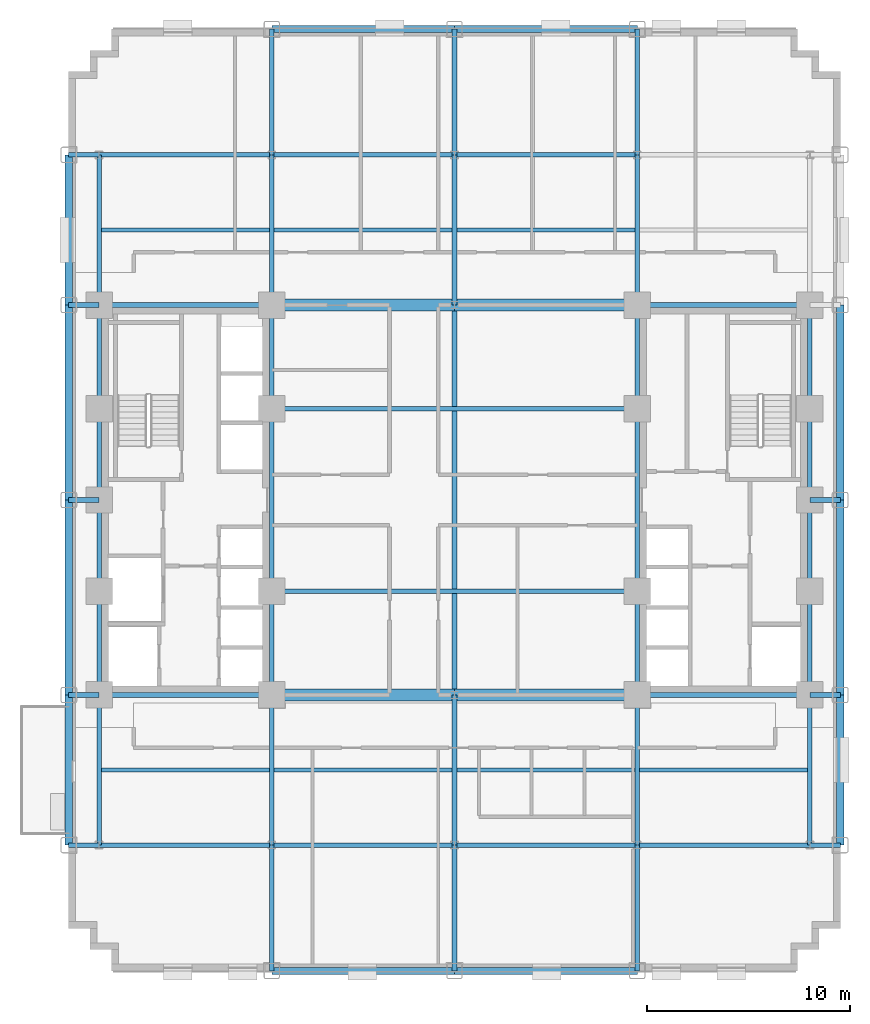
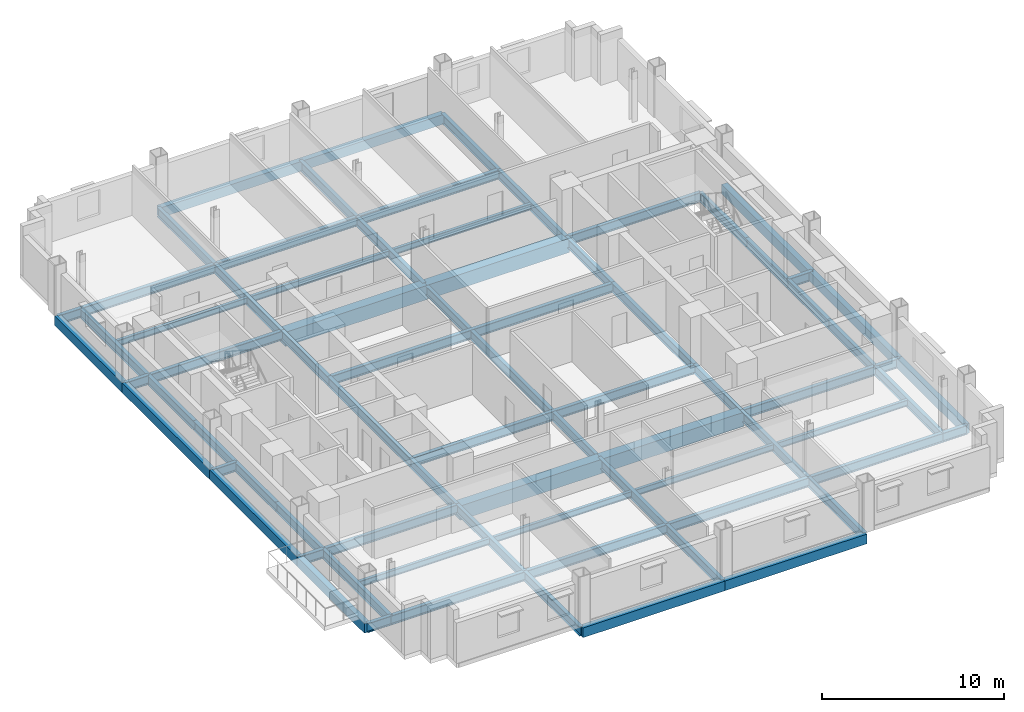
# One storey, part 3 of 12: 73 beams.
"""IFC4 building model written with IfcOpenShell, lengths in metres."""

from ifc_helpers import new_model, si_unit, direction, frame, origin, origin_2d, place, context, subcontext, project, spatial, rectangle, i_section, extrude, material, material_profile, profile_set, type_object, element, save


model = new_model("IFC4")

# Units and contexts
model_context = context("Model", 3, precision=1e-05, world=origin(), true_north=direction((0.0, 1.0)))
body_context = subcontext(model_context, "Body", "Model", "MODEL_VIEW")
ifc_project = project(units=[si_unit("LENGTHUNIT", "METRE"), si_unit("AREAUNIT", "SQUARE_METRE"), si_unit("VOLUMEUNIT", "CUBIC_METRE"), si_unit("PLANEANGLEUNIT", "RADIAN"), si_unit("MASSUNIT", "GRAM", prefix="KILO")], contexts=[model_context])

# Site, building, storey
site_placement = place(None, origin())
site = spatial("IfcSite", under=ifc_project, at=site_placement, CompositionType="ELEMENT")
building_placement = place(site_placement, origin())
building = spatial("IfcBuilding", under=site, at=building_placement, Name="Nuvemarco Arch Tower", CompositionType="ELEMENT")
storey_placement = place(building_placement, frame((0.0, 0.0, 34.89990234375)))
storey = spatial("IfcBuildingStorey", under=building, at=storey_placement, Name="L08", CompositionType="ELEMENT", Elevation=34.89990234375)

# Beams
ifc_material_1 = material(Name="Concrete C60/75", Category="concrete")
ifc_material_profile_1 = material_profile(ifc_material_1, rectangle(XDim=0.60009765625, YDim=0.949951171875, at=origin_2d()), Name="RC-BM-600x950")
ifc_profile_set_1 = profile_set([ifc_material_profile_1], Name="Concrete C60/75")
beam_type_1 = type_object("IfcBeamType", Name="BM-COUP-RC", PredefinedType="LINTEL", material=ifc_profile_set_1)
for number, where, z_axis, x_axis, name in (
    (1, (-9.0, -9.60009765625, -0.7548828125), (1.0, 0.0, 0.0), (0.0, 1.0, 0.0), "L08 structural beam BGEW_L08_0_-9.6_-9.0"),
    (2, (0.0, -9.60009765625, -0.7548828125), (1.0, 0.0, 0.0), (0.0, 1.0, 0.0), "L08 structural beam BGEW_L08_0_-9.6_+0.0"),
    (3, (-9.0, 9.60009765625, -0.7548828125), (1.0, 0.0, 0.0), (0.0, 1.0, 0.0), "L08 structural beam BGEW_L08_0_+9.6_-9.0"),
    (4, (0.0, 9.60009765625, -0.7548828125), (1.0, 0.0, 0.0), (0.0, 1.0, 0.0), "L08 structural beam BGEW_L08_0_+9.6_+0.0"),
):
    element("IfcBeam", number, at=place(storey_placement, frame(where, z_axis=z_axis, x_axis=x_axis)), inside=storey, type_object=beam_type_1, Name=name, PredefinedType="LINTEL", context=body_context, shape_type="SweptSolid", body=[
        extrude(rectangle(XDim=0.60009765625, YDim=0.949951171875, at=origin_2d()), origin(), (0.0, 0.0, 1.0), 9.0),
    ])
ifc_material_2 = material(Name="Steel S355", Category="steel")
ifc_material_profile_2 = material_profile(ifc_material_2, i_section(OverallWidth=0.22998046875, OverallDepth=0.616943359375, WebThickness=0.01318359375, FlangeThickness=0.022216796875, FilletRadius=0.01611328125, at=origin_2d()), Name="W610x140")
ifc_profile_set_2 = profile_set([ifc_material_profile_2], Name="Steel S355")
beam_type_2 = type_object("IfcBeamType", Name="BM-GIRD-610", PredefinedType="BEAM", material=ifc_profile_set_2)
beam_1_placement = place(storey_placement, frame((-17.5, -17.0, -0.58837890625), z_axis=(0.0, 1.0, 0.0), x_axis=(-1.0, 0.0, 0.0)))
element("IfcBeam", 5, at=beam_1_placement, inside=storey, type_object=beam_type_2, Name="L08 structural beam BGNS_L08_0_-17.5_-17.0", PredefinedType="BEAM", context=body_context, shape_type="SweptSolid", body=[
    extrude(i_section(OverallWidth=0.22998046875, OverallDepth=0.616943359375, WebThickness=0.01318359375, FlangeThickness=0.022216796875, FilletRadius=0.01611328125, at=origin_2d()), origin(), (0.0, 0.0, 1.0), 7.39990234375),
])
beam_2_placement = place(storey_placement, frame((-17.5, -9.60009765625, -0.58837890625), z_axis=(0.0, 1.0, 0.0), x_axis=(-1.0, 0.0, 0.0)))
element("IfcBeam", 6, at=beam_2_placement, inside=storey, type_object=beam_type_2, Name="L08 structural beam BGNS_L08_0_-17.5_-9.6", PredefinedType="BEAM", context=body_context, shape_type="SweptSolid", body=[
    extrude(i_section(OverallWidth=0.22998046875, OverallDepth=0.616943359375, WebThickness=0.01318359375, FlangeThickness=0.022216796875, FilletRadius=0.01611328125, at=origin_2d()), origin(), (0.0, 0.0, 1.0), 5.10009765625),
])
for number, where, z_axis, x_axis, name in (
    (7, (-17.5, -4.5, -0.58837890625), (0.0, 1.0, 0.0), (-1.0, 0.0, 0.0), "L08 structural beam BGNS_L08_0_-17.5_-4.5"),
    (8, (-17.5, 0.0, -0.58837890625), (0.0, 1.0, 0.0), (-1.0, 0.0, 0.0), "L08 structural beam BGNS_L08_0_-17.5_+0.0"),
):
    element("IfcBeam", number, at=place(storey_placement, frame(where, z_axis=z_axis, x_axis=x_axis)), inside=storey, type_object=beam_type_2, Name=name, PredefinedType="BEAM", context=body_context, shape_type="SweptSolid", body=[
        extrude(i_section(OverallWidth=0.22998046875, OverallDepth=0.616943359375, WebThickness=0.01318359375, FlangeThickness=0.022216796875, FilletRadius=0.01611328125, at=origin_2d()), origin(), (0.0, 0.0, 1.0), 4.5),
    ])
beam_3_placement = place(storey_placement, frame((-17.5, 4.5, -0.58837890625), z_axis=(0.0, 1.0, 0.0), x_axis=(-1.0, 0.0, 0.0)))
element("IfcBeam", 9, at=beam_3_placement, inside=storey, type_object=beam_type_2, Name="L08 structural beam BGNS_L08_0_-17.5_+4.5", PredefinedType="BEAM", context=body_context, shape_type="SweptSolid", body=[
    extrude(i_section(OverallWidth=0.22998046875, OverallDepth=0.616943359375, WebThickness=0.01318359375, FlangeThickness=0.022216796875, FilletRadius=0.01611328125, at=origin_2d()), origin(), (0.0, 0.0, 1.0), 5.10009765625),
])
beam_4_placement = place(storey_placement, frame((-17.5, 9.60009765625, -0.58837890625), z_axis=(0.0, 1.0, 0.0), x_axis=(-1.0, 0.0, 0.0)))
element("IfcBeam", 10, at=beam_4_placement, inside=storey, type_object=beam_type_2, Name="L08 structural beam BGNS_L08_0_-17.5_+9.6", PredefinedType="BEAM", context=body_context, shape_type="SweptSolid", body=[
    extrude(i_section(OverallWidth=0.22998046875, OverallDepth=0.616943359375, WebThickness=0.01318359375, FlangeThickness=0.022216796875, FilletRadius=0.01611328125, at=origin_2d()), origin(), (0.0, 0.0, 1.0), 7.39990234375),
])
beam_5_placement = place(storey_placement, frame((-9.0, -23.199951171875, -0.58837890625), z_axis=(0.0, 1.0, 0.0), x_axis=(-1.0, 0.0, 0.0)))
element("IfcBeam", 11, at=beam_5_placement, inside=storey, type_object=beam_type_2, Name="L08 structural beam BGNS_L08_0_-9.0_-23.2", PredefinedType="BEAM", context=body_context, shape_type="SweptSolid", body=[
    extrude(i_section(OverallWidth=0.22998046875, OverallDepth=0.616943359375, WebThickness=0.01318359375, FlangeThickness=0.022216796875, FilletRadius=0.01611328125, at=origin_2d()), origin(), (0.0, 0.0, 1.0), 6.199951171875),
])
beam_6_placement = place(storey_placement, frame((-9.0, -17.0, -0.58837890625), z_axis=(0.0, 1.0, 0.0), x_axis=(-1.0, 0.0, 0.0)))
element("IfcBeam", 12, at=beam_6_placement, inside=storey, type_object=beam_type_2, Name="L08 structural beam BGNS_L08_0_-9.0_-17.0", PredefinedType="BEAM", context=body_context, shape_type="SweptSolid", body=[
    extrude(i_section(OverallWidth=0.22998046875, OverallDepth=0.616943359375, WebThickness=0.01318359375, FlangeThickness=0.022216796875, FilletRadius=0.01611328125, at=origin_2d()), origin(), (0.0, 0.0, 1.0), 7.39990234375),
])
beam_7_placement = place(storey_placement, frame((-9.0, -9.60009765625, -0.58837890625), z_axis=(0.0, 1.0, 0.0), x_axis=(-1.0, 0.0, 0.0)))
element("IfcBeam", 13, at=beam_7_placement, inside=storey, type_object=beam_type_2, Name="L08 structural beam BGNS_L08_0_-9.0_-9.6", PredefinedType="BEAM", context=body_context, shape_type="SweptSolid", body=[
    extrude(i_section(OverallWidth=0.22998046875, OverallDepth=0.616943359375, WebThickness=0.01318359375, FlangeThickness=0.022216796875, FilletRadius=0.01611328125, at=origin_2d()), origin(), (0.0, 0.0, 1.0), 5.10009765625),
])
beam_8_placement = place(storey_placement, frame((-9.0, -4.5, -0.58837890625), z_axis=(0.0, 1.0, 0.0), x_axis=(-1.0, 0.0, 0.0)))
element("IfcBeam", 14, at=beam_8_placement, inside=storey, type_object=beam_type_2, Name="L08 structural beam BGNS_L08_0_-9.0_-4.5", PredefinedType="BEAM", context=body_context, shape_type="SweptSolid", body=[
    extrude(i_section(OverallWidth=0.22998046875, OverallDepth=0.616943359375, WebThickness=0.01318359375, FlangeThickness=0.022216796875, FilletRadius=0.01611328125, at=origin_2d()), origin(), (0.0, 0.0, 1.0), 9.0),
])
beam_9_placement = place(storey_placement, frame((-9.0, 4.5, -0.58837890625), z_axis=(0.0, 1.0, 0.0), x_axis=(-1.0, 0.0, 0.0)))
element("IfcBeam", 15, at=beam_9_placement, inside=storey, type_object=beam_type_2, Name="L08 structural beam BGNS_L08_0_-9.0_+4.5", PredefinedType="BEAM", context=body_context, shape_type="SweptSolid", body=[
    extrude(i_section(OverallWidth=0.22998046875, OverallDepth=0.616943359375, WebThickness=0.01318359375, FlangeThickness=0.022216796875, FilletRadius=0.01611328125, at=origin_2d()), origin(), (0.0, 0.0, 1.0), 5.10009765625),
])
beam_10_placement = place(storey_placement, frame((-9.0, 9.60009765625, -0.58837890625), z_axis=(0.0, 1.0, 0.0), x_axis=(-1.0, 0.0, 0.0)))
element("IfcBeam", 16, at=beam_10_placement, inside=storey, type_object=beam_type_2, Name="L08 structural beam BGNS_L08_0_-9.0_+9.6", PredefinedType="BEAM", context=body_context, shape_type="SweptSolid", body=[
    extrude(i_section(OverallWidth=0.22998046875, OverallDepth=0.616943359375, WebThickness=0.01318359375, FlangeThickness=0.022216796875, FilletRadius=0.01611328125, at=origin_2d()), origin(), (0.0, 0.0, 1.0), 7.39990234375),
])
for number, where, z_axis, x_axis, name in (
    (17, (-9.0, 17.0, -0.58837890625), (0.0, 1.0, 0.0), (-1.0, 0.0, 0.0), "L08 structural beam BGNS_L08_0_-9.0_+17.0"),
    (18, (0.0, -23.199951171875, -0.58837890625), (0.0, 1.0, 0.0), (-1.0, 0.0, 0.0), "L08 structural beam BGNS_L08_0_+0.0_-23.2"),
):
    element("IfcBeam", number, at=place(storey_placement, frame(where, z_axis=z_axis, x_axis=x_axis)), inside=storey, type_object=beam_type_2, Name=name, PredefinedType="BEAM", context=body_context, shape_type="SweptSolid", body=[
        extrude(i_section(OverallWidth=0.22998046875, OverallDepth=0.616943359375, WebThickness=0.01318359375, FlangeThickness=0.022216796875, FilletRadius=0.01611328125, at=origin_2d()), origin(), (0.0, 0.0, 1.0), 6.199951171875),
    ])
beam_11_placement = place(storey_placement, frame((0.0, -17.0, -0.58837890625), z_axis=(0.0, 1.0, 0.0), x_axis=(-1.0, 0.0, 0.0)))
element("IfcBeam", 19, at=beam_11_placement, inside=storey, type_object=beam_type_2, Name="L08 structural beam BGNS_L08_0_+0.0_-17.0", PredefinedType="BEAM", context=body_context, shape_type="SweptSolid", body=[
    extrude(i_section(OverallWidth=0.22998046875, OverallDepth=0.616943359375, WebThickness=0.01318359375, FlangeThickness=0.022216796875, FilletRadius=0.01611328125, at=origin_2d()), origin(), (0.0, 0.0, 1.0), 7.39990234375),
])
beam_12_placement = place(storey_placement, frame((0.0, -9.60009765625, -0.58837890625), z_axis=(0.0, 1.0, 0.0), x_axis=(-1.0, 0.0, 0.0)))
element("IfcBeam", 20, at=beam_12_placement, inside=storey, type_object=beam_type_2, Name="L08 structural beam BGNS_L08_0_+0.0_-9.6", PredefinedType="BEAM", context=body_context, shape_type="SweptSolid", body=[
    extrude(i_section(OverallWidth=0.22998046875, OverallDepth=0.616943359375, WebThickness=0.01318359375, FlangeThickness=0.022216796875, FilletRadius=0.01611328125, at=origin_2d()), origin(), (0.0, 0.0, 1.0), 19.2001953125),
])
beam_13_placement = place(storey_placement, frame((0.0, 9.60009765625, -0.58837890625), z_axis=(0.0, 1.0, 0.0), x_axis=(-1.0, 0.0, 0.0)))
element("IfcBeam", 21, at=beam_13_placement, inside=storey, type_object=beam_type_2, Name="L08 structural beam BGNS_L08_0_+0.0_+9.6", PredefinedType="BEAM", context=body_context, shape_type="SweptSolid", body=[
    extrude(i_section(OverallWidth=0.22998046875, OverallDepth=0.616943359375, WebThickness=0.01318359375, FlangeThickness=0.022216796875, FilletRadius=0.01611328125, at=origin_2d()), origin(), (0.0, 0.0, 1.0), 7.39990234375),
])
for number, where, z_axis, x_axis, name in (
    (22, (0.0, 17.0, -0.58837890625), (0.0, 1.0, 0.0), (-1.0, 0.0, 0.0), "L08 structural beam BGNS_L08_0_+0.0_+17.0"),
    (23, (9.0, -23.199951171875, -0.58837890625), (0.0, 1.0, 0.0), (-1.0, 0.0, 0.0), "L08 structural beam BGNS_L08_0_+9.0_-23.2"),
):
    element("IfcBeam", number, at=place(storey_placement, frame(where, z_axis=z_axis, x_axis=x_axis)), inside=storey, type_object=beam_type_2, Name=name, PredefinedType="BEAM", context=body_context, shape_type="SweptSolid", body=[
        extrude(i_section(OverallWidth=0.22998046875, OverallDepth=0.616943359375, WebThickness=0.01318359375, FlangeThickness=0.022216796875, FilletRadius=0.01611328125, at=origin_2d()), origin(), (0.0, 0.0, 1.0), 6.199951171875),
    ])
beam_14_placement = place(storey_placement, frame((9.0, -17.0, -0.58837890625), z_axis=(0.0, 1.0, 0.0), x_axis=(-1.0, 0.0, 0.0)))
element("IfcBeam", 24, at=beam_14_placement, inside=storey, type_object=beam_type_2, Name="L08 structural beam BGNS_L08_0_+9.0_-17.0", PredefinedType="BEAM", context=body_context, shape_type="SweptSolid", body=[
    extrude(i_section(OverallWidth=0.22998046875, OverallDepth=0.616943359375, WebThickness=0.01318359375, FlangeThickness=0.022216796875, FilletRadius=0.01611328125, at=origin_2d()), origin(), (0.0, 0.0, 1.0), 7.39990234375),
])
beam_15_placement = place(storey_placement, frame((9.0, -9.60009765625, -0.58837890625), z_axis=(0.0, 1.0, 0.0), x_axis=(-1.0, 0.0, 0.0)))
element("IfcBeam", 25, at=beam_15_placement, inside=storey, type_object=beam_type_2, Name="L08 structural beam BGNS_L08_0_+9.0_-9.6", PredefinedType="BEAM", context=body_context, shape_type="SweptSolid", body=[
    extrude(i_section(OverallWidth=0.22998046875, OverallDepth=0.616943359375, WebThickness=0.01318359375, FlangeThickness=0.022216796875, FilletRadius=0.01611328125, at=origin_2d()), origin(), (0.0, 0.0, 1.0), 5.10009765625),
])
beam_16_placement = place(storey_placement, frame((9.0, -4.5, -0.58837890625), z_axis=(0.0, 1.0, 0.0), x_axis=(-1.0, 0.0, 0.0)))
element("IfcBeam", 26, at=beam_16_placement, inside=storey, type_object=beam_type_2, Name="L08 structural beam BGNS_L08_0_+9.0_-4.5", PredefinedType="BEAM", context=body_context, shape_type="SweptSolid", body=[
    extrude(i_section(OverallWidth=0.22998046875, OverallDepth=0.616943359375, WebThickness=0.01318359375, FlangeThickness=0.022216796875, FilletRadius=0.01611328125, at=origin_2d()), origin(), (0.0, 0.0, 1.0), 9.0),
])
beam_17_placement = place(storey_placement, frame((9.0, 4.5, -0.58837890625), z_axis=(0.0, 1.0, 0.0), x_axis=(-1.0, 0.0, 0.0)))
element("IfcBeam", 27, at=beam_17_placement, inside=storey, type_object=beam_type_2, Name="L08 structural beam BGNS_L08_0_+9.0_+4.5", PredefinedType="BEAM", context=body_context, shape_type="SweptSolid", body=[
    extrude(i_section(OverallWidth=0.22998046875, OverallDepth=0.616943359375, WebThickness=0.01318359375, FlangeThickness=0.022216796875, FilletRadius=0.01611328125, at=origin_2d()), origin(), (0.0, 0.0, 1.0), 5.10009765625),
])
beam_18_placement = place(storey_placement, frame((9.0, 9.60009765625, -0.58837890625), z_axis=(0.0, 1.0, 0.0), x_axis=(-1.0, 0.0, 0.0)))
element("IfcBeam", 28, at=beam_18_placement, inside=storey, type_object=beam_type_2, Name="L08 structural beam BGNS_L08_0_+9.0_+9.6", PredefinedType="BEAM", context=body_context, shape_type="SweptSolid", body=[
    extrude(i_section(OverallWidth=0.22998046875, OverallDepth=0.616943359375, WebThickness=0.01318359375, FlangeThickness=0.022216796875, FilletRadius=0.01611328125, at=origin_2d()), origin(), (0.0, 0.0, 1.0), 7.39990234375),
])
beam_19_placement = place(storey_placement, frame((9.0, 17.0, -0.58837890625), z_axis=(0.0, 1.0, 0.0), x_axis=(-1.0, 0.0, 0.0)))
element("IfcBeam", 29, at=beam_19_placement, inside=storey, type_object=beam_type_2, Name="L08 structural beam BGNS_L08_0_+9.0_+17.0", PredefinedType="BEAM", context=body_context, shape_type="SweptSolid", body=[
    extrude(i_section(OverallWidth=0.22998046875, OverallDepth=0.616943359375, WebThickness=0.01318359375, FlangeThickness=0.022216796875, FilletRadius=0.01611328125, at=origin_2d()), origin(), (0.0, 0.0, 1.0), 6.199951171875),
])
beam_20_placement = place(storey_placement, frame((17.5, -17.0, -0.58837890625), z_axis=(0.0, 1.0, 0.0), x_axis=(-1.0, 0.0, 0.0)))
element("IfcBeam", 30, at=beam_20_placement, inside=storey, type_object=beam_type_2, Name="L08 structural beam BGNS_L08_0_+17.5_-17.0", PredefinedType="BEAM", context=body_context, shape_type="SweptSolid", body=[
    extrude(i_section(OverallWidth=0.22998046875, OverallDepth=0.616943359375, WebThickness=0.01318359375, FlangeThickness=0.022216796875, FilletRadius=0.01611328125, at=origin_2d()), origin(), (0.0, 0.0, 1.0), 7.39990234375),
])
beam_21_placement = place(storey_placement, frame((17.5, -9.60009765625, -0.58837890625), z_axis=(0.0, 1.0, 0.0), x_axis=(-1.0, 0.0, 0.0)))
element("IfcBeam", 31, at=beam_21_placement, inside=storey, type_object=beam_type_2, Name="L08 structural beam BGNS_L08_0_+17.5_-9.6", PredefinedType="BEAM", context=body_context, shape_type="SweptSolid", body=[
    extrude(i_section(OverallWidth=0.22998046875, OverallDepth=0.616943359375, WebThickness=0.01318359375, FlangeThickness=0.022216796875, FilletRadius=0.01611328125, at=origin_2d()), origin(), (0.0, 0.0, 1.0), 5.10009765625),
])
for number, where, z_axis, x_axis, name in (
    (32, (17.5, -4.5, -0.58837890625), (0.0, 1.0, 0.0), (-1.0, 0.0, 0.0), "L08 structural beam BGNS_L08_0_+17.5_-4.5"),
    (33, (17.5, 0.0, -0.58837890625), (0.0, 1.0, 0.0), (-1.0, 0.0, 0.0), "L08 structural beam BGNS_L08_0_+17.5_+0.0"),
):
    element("IfcBeam", number, at=place(storey_placement, frame(where, z_axis=z_axis, x_axis=x_axis)), inside=storey, type_object=beam_type_2, Name=name, PredefinedType="BEAM", context=body_context, shape_type="SweptSolid", body=[
        extrude(i_section(OverallWidth=0.22998046875, OverallDepth=0.616943359375, WebThickness=0.01318359375, FlangeThickness=0.022216796875, FilletRadius=0.01611328125, at=origin_2d()), origin(), (0.0, 0.0, 1.0), 4.5),
    ])
beam_22_placement = place(storey_placement, frame((17.5, 4.5, -0.58837890625), z_axis=(0.0, 1.0, 0.0), x_axis=(-1.0, 0.0, 0.0)))
element("IfcBeam", 34, at=beam_22_placement, inside=storey, type_object=beam_type_2, Name="L08 structural beam BGNS_L08_0_+17.5_+4.5", PredefinedType="BEAM", context=body_context, shape_type="SweptSolid", body=[
    extrude(i_section(OverallWidth=0.22998046875, OverallDepth=0.616943359375, WebThickness=0.01318359375, FlangeThickness=0.022216796875, FilletRadius=0.01611328125, at=origin_2d()), origin(), (0.0, 0.0, 1.0), 5.10009765625),
])
beam_23_placement = place(storey_placement, frame((-19.0, -17.0, -0.58837890625), z_axis=(1.0, 0.0, 0.0), x_axis=(0.0, 1.0, 0.0)))
element("IfcBeam", 35, at=beam_23_placement, inside=storey, type_object=beam_type_2, Name="L08 structural beam BGEW_L08_0_-17.0_-19.0", PredefinedType="BEAM", context=body_context, shape_type="SweptSolid", body=[
    extrude(i_section(OverallWidth=0.22998046875, OverallDepth=0.616943359375, WebThickness=0.01318359375, FlangeThickness=0.022216796875, FilletRadius=0.01611328125, at=origin_2d()), origin(), (0.0, 0.0, 1.0), 1.5),
])
beam_24_placement = place(storey_placement, frame((-17.5, -17.0, -0.58837890625), z_axis=(1.0, 0.0, 0.0), x_axis=(0.0, 1.0, 0.0)))
element("IfcBeam", 36, at=beam_24_placement, inside=storey, type_object=beam_type_2, Name="L08 structural beam BGEW_L08_0_-17.0_-17.5", PredefinedType="BEAM", context=body_context, shape_type="SweptSolid", body=[
    extrude(i_section(OverallWidth=0.22998046875, OverallDepth=0.616943359375, WebThickness=0.01318359375, FlangeThickness=0.022216796875, FilletRadius=0.01611328125, at=origin_2d()), origin(), (0.0, 0.0, 1.0), 8.5),
])
for number, where, z_axis, x_axis, name in (
    (37, (-9.0, -17.0, -0.58837890625), (1.0, 0.0, 0.0), (0.0, 1.0, 0.0), "L08 structural beam BGEW_L08_0_-17.0_-9.0"),
    (38, (0.0, -17.0, -0.58837890625), (1.0, 0.0, 0.0), (0.0, 1.0, 0.0), "L08 structural beam BGEW_L08_0_-17.0_+0.0"),
):
    element("IfcBeam", number, at=place(storey_placement, frame(where, z_axis=z_axis, x_axis=x_axis)), inside=storey, type_object=beam_type_2, Name=name, PredefinedType="BEAM", context=body_context, shape_type="SweptSolid", body=[
        extrude(i_section(OverallWidth=0.22998046875, OverallDepth=0.616943359375, WebThickness=0.01318359375, FlangeThickness=0.022216796875, FilletRadius=0.01611328125, at=origin_2d()), origin(), (0.0, 0.0, 1.0), 9.0),
    ])
beam_25_placement = place(storey_placement, frame((9.0, -17.0, -0.58837890625), z_axis=(1.0, 0.0, 0.0), x_axis=(0.0, 1.0, 0.0)))
element("IfcBeam", 39, at=beam_25_placement, inside=storey, type_object=beam_type_2, Name="L08 structural beam BGEW_L08_0_-17.0_+9.0", PredefinedType="BEAM", context=body_context, shape_type="SweptSolid", body=[
    extrude(i_section(OverallWidth=0.22998046875, OverallDepth=0.616943359375, WebThickness=0.01318359375, FlangeThickness=0.022216796875, FilletRadius=0.01611328125, at=origin_2d()), origin(), (0.0, 0.0, 1.0), 8.5),
])
for number, where, z_axis, x_axis, name in (
    (40, (17.5, -17.0, -0.58837890625), (1.0, 0.0, 0.0), (0.0, 1.0, 0.0), "L08 structural beam BGEW_L08_0_-17.0_+17.5"),
    (41, (-19.0, -9.60009765625, -0.58837890625), (1.0, 0.0, 0.0), (0.0, 1.0, 0.0), "L08 structural beam BGEW_L08_0_-9.6_-19.0"),
):
    element("IfcBeam", number, at=place(storey_placement, frame(where, z_axis=z_axis, x_axis=x_axis)), inside=storey, type_object=beam_type_2, Name=name, PredefinedType="BEAM", context=body_context, shape_type="SweptSolid", body=[
        extrude(i_section(OverallWidth=0.22998046875, OverallDepth=0.616943359375, WebThickness=0.01318359375, FlangeThickness=0.022216796875, FilletRadius=0.01611328125, at=origin_2d()), origin(), (0.0, 0.0, 1.0), 1.5),
    ])
for number, where, z_axis, x_axis, name in (
    (42, (-17.5, -9.60009765625, -0.58837890625), (1.0, 0.0, 0.0), (0.0, 1.0, 0.0), "L08 structural beam BGEW_L08_0_-9.6_-17.5"),
    (43, (9.0, -9.60009765625, -0.58837890625), (1.0, 0.0, 0.0), (0.0, 1.0, 0.0), "L08 structural beam BGEW_L08_0_-9.6_+9.0"),
):
    element("IfcBeam", number, at=place(storey_placement, frame(where, z_axis=z_axis, x_axis=x_axis)), inside=storey, type_object=beam_type_2, Name=name, PredefinedType="BEAM", context=body_context, shape_type="SweptSolid", body=[
        extrude(i_section(OverallWidth=0.22998046875, OverallDepth=0.616943359375, WebThickness=0.01318359375, FlangeThickness=0.022216796875, FilletRadius=0.01611328125, at=origin_2d()), origin(), (0.0, 0.0, 1.0), 8.5),
    ])
beam_26_placement = place(storey_placement, frame((17.5, -9.60009765625, -0.58837890625), z_axis=(1.0, 0.0, 0.0), x_axis=(0.0, 1.0, 0.0)))
element("IfcBeam", 44, at=beam_26_placement, inside=storey, type_object=beam_type_2, Name="L08 structural beam BGEW_L08_0_-9.6_+17.5", PredefinedType="BEAM", context=body_context, shape_type="SweptSolid", body=[
    extrude(i_section(OverallWidth=0.22998046875, OverallDepth=0.616943359375, WebThickness=0.01318359375, FlangeThickness=0.022216796875, FilletRadius=0.01611328125, at=origin_2d()), origin(), (0.0, 0.0, 1.0), 1.5),
])
beam_27_placement = place(storey_placement, frame((-9.0, -4.5, -0.58837890625), z_axis=(1.0, 0.0, 0.0), x_axis=(0.0, 1.0, 0.0)))
element("IfcBeam", 45, at=beam_27_placement, inside=storey, type_object=beam_type_2, Name="L08 structural beam BGEW_L08_0_-4.5_-9.0", PredefinedType="BEAM", context=body_context, shape_type="SweptSolid", body=[
    extrude(i_section(OverallWidth=0.22998046875, OverallDepth=0.616943359375, WebThickness=0.01318359375, FlangeThickness=0.022216796875, FilletRadius=0.01611328125, at=origin_2d()), origin(), (0.0, 0.0, 1.0), 18.0),
])
for number, where, z_axis, x_axis, name in (
    (46, (-19.0, 0.0, -0.58837890625), (1.0, 0.0, 0.0), (0.0, 1.0, 0.0), "L08 structural beam BGEW_L08_0_+0.0_-19.0"),
    (47, (17.5, 0.0, -0.58837890625), (1.0, 0.0, 0.0), (0.0, 1.0, 0.0), "L08 structural beam BGEW_L08_0_+0.0_+17.5"),
):
    element("IfcBeam", number, at=place(storey_placement, frame(where, z_axis=z_axis, x_axis=x_axis)), inside=storey, type_object=beam_type_2, Name=name, PredefinedType="BEAM", context=body_context, shape_type="SweptSolid", body=[
        extrude(i_section(OverallWidth=0.22998046875, OverallDepth=0.616943359375, WebThickness=0.01318359375, FlangeThickness=0.022216796875, FilletRadius=0.01611328125, at=origin_2d()), origin(), (0.0, 0.0, 1.0), 1.5),
    ])
beam_28_placement = place(storey_placement, frame((-9.0, 4.5, -0.58837890625), z_axis=(1.0, 0.0, 0.0), x_axis=(0.0, 1.0, 0.0)))
element("IfcBeam", 48, at=beam_28_placement, inside=storey, type_object=beam_type_2, Name="L08 structural beam BGEW_L08_0_+4.5_-9.0", PredefinedType="BEAM", context=body_context, shape_type="SweptSolid", body=[
    extrude(i_section(OverallWidth=0.22998046875, OverallDepth=0.616943359375, WebThickness=0.01318359375, FlangeThickness=0.022216796875, FilletRadius=0.01611328125, at=origin_2d()), origin(), (0.0, 0.0, 1.0), 18.0),
])
beam_29_placement = place(storey_placement, frame((-19.0, 9.60009765625, -0.58837890625), z_axis=(1.0, 0.0, 0.0), x_axis=(0.0, 1.0, 0.0)))
element("IfcBeam", 49, at=beam_29_placement, inside=storey, type_object=beam_type_2, Name="L08 structural beam BGEW_L08_0_+9.6_-19.0", PredefinedType="BEAM", context=body_context, shape_type="SweptSolid", body=[
    extrude(i_section(OverallWidth=0.22998046875, OverallDepth=0.616943359375, WebThickness=0.01318359375, FlangeThickness=0.022216796875, FilletRadius=0.01611328125, at=origin_2d()), origin(), (0.0, 0.0, 1.0), 1.5),
])
for number, where, z_axis, x_axis, name in (
    (50, (-17.5, 9.60009765625, -0.58837890625), (1.0, 0.0, 0.0), (0.0, 1.0, 0.0), "L08 structural beam BGEW_L08_0_+9.6_-17.5"),
    (51, (9.0, 9.60009765625, -0.58837890625), (1.0, 0.0, 0.0), (0.0, 1.0, 0.0), "L08 structural beam BGEW_L08_0_+9.6_+9.0"),
):
    element("IfcBeam", number, at=place(storey_placement, frame(where, z_axis=z_axis, x_axis=x_axis)), inside=storey, type_object=beam_type_2, Name=name, PredefinedType="BEAM", context=body_context, shape_type="SweptSolid", body=[
        extrude(i_section(OverallWidth=0.22998046875, OverallDepth=0.616943359375, WebThickness=0.01318359375, FlangeThickness=0.022216796875, FilletRadius=0.01611328125, at=origin_2d()), origin(), (0.0, 0.0, 1.0), 8.5),
    ])
beam_30_placement = place(storey_placement, frame((-19.0, 17.0, -0.58837890625), z_axis=(1.0, 0.0, 0.0), x_axis=(0.0, 1.0, 0.0)))
element("IfcBeam", 52, at=beam_30_placement, inside=storey, type_object=beam_type_2, Name="L08 structural beam BGEW_L08_0_+17.0_-19.0", PredefinedType="BEAM", context=body_context, shape_type="SweptSolid", body=[
    extrude(i_section(OverallWidth=0.22998046875, OverallDepth=0.616943359375, WebThickness=0.01318359375, FlangeThickness=0.022216796875, FilletRadius=0.01611328125, at=origin_2d()), origin(), (0.0, 0.0, 1.0), 1.5),
])
beam_31_placement = place(storey_placement, frame((-17.5, 17.0, -0.58837890625), z_axis=(1.0, 0.0, 0.0), x_axis=(0.0, 1.0, 0.0)))
element("IfcBeam", 53, at=beam_31_placement, inside=storey, type_object=beam_type_2, Name="L08 structural beam BGEW_L08_0_+17.0_-17.5", PredefinedType="BEAM", context=body_context, shape_type="SweptSolid", body=[
    extrude(i_section(OverallWidth=0.22998046875, OverallDepth=0.616943359375, WebThickness=0.01318359375, FlangeThickness=0.022216796875, FilletRadius=0.01611328125, at=origin_2d()), origin(), (0.0, 0.0, 1.0), 8.5),
])
for number, where, z_axis, x_axis, name in (
    (54, (-9.0, 17.0, -0.58837890625), (1.0, 0.0, 0.0), (0.0, 1.0, 0.0), "L08 structural beam BGEW_L08_0_+17.0_-9.0"),
    (55, (0.0, 17.0, -0.58837890625), (1.0, 0.0, 0.0), (0.0, 1.0, 0.0), "L08 structural beam BGEW_L08_0_+17.0_+0.0"),
):
    element("IfcBeam", number, at=place(storey_placement, frame(where, z_axis=z_axis, x_axis=x_axis)), inside=storey, type_object=beam_type_2, Name=name, PredefinedType="BEAM", context=body_context, shape_type="SweptSolid", body=[
        extrude(i_section(OverallWidth=0.22998046875, OverallDepth=0.616943359375, WebThickness=0.01318359375, FlangeThickness=0.022216796875, FilletRadius=0.01611328125, at=origin_2d()), origin(), (0.0, 0.0, 1.0), 9.0),
    ])
ifc_material_profile_3 = material_profile(ifc_material_2, i_section(OverallWidth=0.179931640625, OverallDepth=0.4130859375, WebThickness=0.009765625, FlangeThickness=0.01611328125, FilletRadius=0.014892578125, at=origin_2d()), Name="W410x75")
ifc_profile_set_3 = profile_set([ifc_material_profile_3], Name="Steel S355")
beam_type_3 = type_object("IfcBeamType", Name="BM-JOIST-410", PredefinedType="JOIST", material=ifc_profile_set_3)
beam_32_placement = place(storey_placement, frame((-17.385009765625, -13.300048828125, -0.486328125), z_axis=(1.0, 0.0, 0.0), x_axis=(0.0, 1.0, 0.0)))
element("IfcBeam", 56, at=beam_32_placement, inside=storey, type_object=beam_type_3, Name="L08 structural beam BJ_L08_0_-13.3_-17.5", PredefinedType="JOIST", context=body_context, shape_type="SweptSolid", body=[
    extrude(i_section(OverallWidth=0.179931640625, OverallDepth=0.4130859375, WebThickness=0.009765625, FlangeThickness=0.01611328125, FilletRadius=0.014892578125, at=origin_2d()), origin(), (0.0, 0.0, 1.0), 8.27001953125),
])
for number, where, z_axis, x_axis, name in (
    (57, (-8.885009765625, -13.300048828125, -0.486328125), (1.0, 0.0, 0.0), (0.0, 1.0, 0.0), "L08 structural beam BJ_L08_0_-13.3_-9.0"),
    (58, (0.114990234375, -13.300048828125, -0.486328125), (1.0, 0.0, 0.0), (0.0, 1.0, 0.0), "L08 structural beam BJ_L08_0_-13.3_+0.0"),
):
    element("IfcBeam", number, at=place(storey_placement, frame(where, z_axis=z_axis, x_axis=x_axis)), inside=storey, type_object=beam_type_3, Name=name, PredefinedType="JOIST", context=body_context, shape_type="SweptSolid", body=[
        extrude(i_section(OverallWidth=0.179931640625, OverallDepth=0.4130859375, WebThickness=0.009765625, FlangeThickness=0.01611328125, FilletRadius=0.014892578125, at=origin_2d()), origin(), (0.0, 0.0, 1.0), 8.77001953125),
    ])
for number, where, z_axis, x_axis, name in (
    (59, (9.114990234375, -13.300048828125, -0.486328125), (1.0, 0.0, 0.0), (0.0, 1.0, 0.0), "L08 structural beam BJ_L08_0_-13.3_+9.0"),
    (60, (-17.385009765625, 13.300048828125, -0.486328125), (1.0, 0.0, 0.0), (0.0, 1.0, 0.0), "L08 structural beam BJ_L08_0_+13.3_-17.5"),
):
    element("IfcBeam", number, at=place(storey_placement, frame(where, z_axis=z_axis, x_axis=x_axis)), inside=storey, type_object=beam_type_3, Name=name, PredefinedType="JOIST", context=body_context, shape_type="SweptSolid", body=[
        extrude(i_section(OverallWidth=0.179931640625, OverallDepth=0.4130859375, WebThickness=0.009765625, FlangeThickness=0.01611328125, FilletRadius=0.014892578125, at=origin_2d()), origin(), (0.0, 0.0, 1.0), 8.27001953125),
    ])
for number, where, z_axis, x_axis, name in (
    (61, (-8.885009765625, 13.300048828125, -0.486328125), (1.0, 0.0, 0.0), (0.0, 1.0, 0.0), "L08 structural beam BJ_L08_0_+13.3_-9.0"),
    (62, (0.114990234375, 13.300048828125, -0.486328125), (1.0, 0.0, 0.0), (0.0, 1.0, 0.0), "L08 structural beam BJ_L08_0_+13.3_+0.0"),
):
    element("IfcBeam", number, at=place(storey_placement, frame(where, z_axis=z_axis, x_axis=x_axis)), inside=storey, type_object=beam_type_3, Name=name, PredefinedType="JOIST", context=body_context, shape_type="SweptSolid", body=[
        extrude(i_section(OverallWidth=0.179931640625, OverallDepth=0.4130859375, WebThickness=0.009765625, FlangeThickness=0.01611328125, FilletRadius=0.014892578125, at=origin_2d()), origin(), (0.0, 0.0, 1.0), 8.77001953125),
    ])
ifc_material_3 = material(Name="Precast concrete C45/55", Category="concrete")
ifc_material_profile_4 = material_profile(ifc_material_3, rectangle(XDim=0.35009765625, YDim=0.64990234375, at=origin_2d()), Name="PC-SP-350x650")
ifc_profile_set_4 = profile_set([ifc_material_profile_4], Name="Precast concrete C45/55")
beam_type_4 = type_object("IfcBeamType", Name="BM-SPAN-RC", PredefinedType="SPANDREL", material=ifc_profile_set_4)
beam_33_placement = place(storey_placement, frame((-19.0, -17.0, -0.60498046875), z_axis=(0.0, 1.0, 0.0), x_axis=(-1.0, 0.0, 0.0)))
element("IfcBeam", 63, at=beam_33_placement, inside=storey, type_object=beam_type_4, Name="L08 structural beam BGNS_L08_0_-19.0_-17.0", PredefinedType="SPANDREL", context=body_context, shape_type="SweptSolid", body=[
    extrude(rectangle(XDim=0.35009765625, YDim=0.64990234375, at=origin_2d()), origin(), (0.0, 0.0, 1.0), 7.39990234375),
])
for number, where, z_axis, x_axis, name in (
    (64, (-19.0, -9.60009765625, -0.60498046875), (0.0, 1.0, 0.0), (-1.0, 0.0, 0.0), "L08 structural beam BGNS_L08_0_-19.0_-9.6"),
    (65, (-19.0, 0.0, -0.60498046875), (0.0, 1.0, 0.0), (-1.0, 0.0, 0.0), "L08 structural beam BGNS_L08_0_-19.0_+0.0"),
):
    element("IfcBeam", number, at=place(storey_placement, frame(where, z_axis=z_axis, x_axis=x_axis)), inside=storey, type_object=beam_type_4, Name=name, PredefinedType="SPANDREL", context=body_context, shape_type="SweptSolid", body=[
        extrude(rectangle(XDim=0.35009765625, YDim=0.64990234375, at=origin_2d()), origin(), (0.0, 0.0, 1.0), 9.60009765625),
    ])
for number, where, z_axis, x_axis, name in (
    (66, (-19.0, 9.60009765625, -0.60498046875), (0.0, 1.0, 0.0), (-1.0, 0.0, 0.0), "L08 structural beam BGNS_L08_0_-19.0_+9.6"),
    (67, (19.0, -17.0, -0.60498046875), (0.0, 1.0, 0.0), (-1.0, 0.0, 0.0), "L08 structural beam BGNS_L08_0_+19.0_-17.0"),
):
    element("IfcBeam", number, at=place(storey_placement, frame(where, z_axis=z_axis, x_axis=x_axis)), inside=storey, type_object=beam_type_4, Name=name, PredefinedType="SPANDREL", context=body_context, shape_type="SweptSolid", body=[
        extrude(rectangle(XDim=0.35009765625, YDim=0.64990234375, at=origin_2d()), origin(), (0.0, 0.0, 1.0), 7.39990234375),
    ])
for number, where, z_axis, x_axis, name in (
    (68, (19.0, -9.60009765625, -0.60498046875), (0.0, 1.0, 0.0), (-1.0, 0.0, 0.0), "L08 structural beam BGNS_L08_0_+19.0_-9.6"),
    (69, (19.0, 0.0, -0.60498046875), (0.0, 1.0, 0.0), (-1.0, 0.0, 0.0), "L08 structural beam BGNS_L08_0_+19.0_+0.0"),
):
    element("IfcBeam", number, at=place(storey_placement, frame(where, z_axis=z_axis, x_axis=x_axis)), inside=storey, type_object=beam_type_4, Name=name, PredefinedType="SPANDREL", context=body_context, shape_type="SweptSolid", body=[
        extrude(rectangle(XDim=0.35009765625, YDim=0.64990234375, at=origin_2d()), origin(), (0.0, 0.0, 1.0), 9.60009765625),
    ])
for number, where, z_axis, x_axis, name in (
    (70, (-9.0, -23.199951171875, -0.60498046875), (1.0, 0.0, 0.0), (0.0, 1.0, 0.0), "L08 structural beam BGEW_L08_0_-23.2_-9.0"),
    (71, (0.0, -23.199951171875, -0.60498046875), (1.0, 0.0, 0.0), (0.0, 1.0, 0.0), "L08 structural beam BGEW_L08_0_-23.2_+0.0"),
    (72, (-9.0, 23.199951171875, -0.60498046875), (1.0, 0.0, 0.0), (0.0, 1.0, 0.0), "L08 structural beam BGEW_L08_0_+23.2_-9.0"),
    (73, (0.0, 23.199951171875, -0.60498046875), (1.0, 0.0, 0.0), (0.0, 1.0, 0.0), "L08 structural beam BGEW_L08_0_+23.2_+0.0"),
):
    element("IfcBeam", number, at=place(storey_placement, frame(where, z_axis=z_axis, x_axis=x_axis)), inside=storey, type_object=beam_type_4, Name=name, PredefinedType="SPANDREL", context=body_context, shape_type="SweptSolid", body=[
        extrude(rectangle(XDim=0.35009765625, YDim=0.64990234375, at=origin_2d()), origin(), (0.0, 0.0, 1.0), 9.0),
    ])

save(model, "model.ifc")
